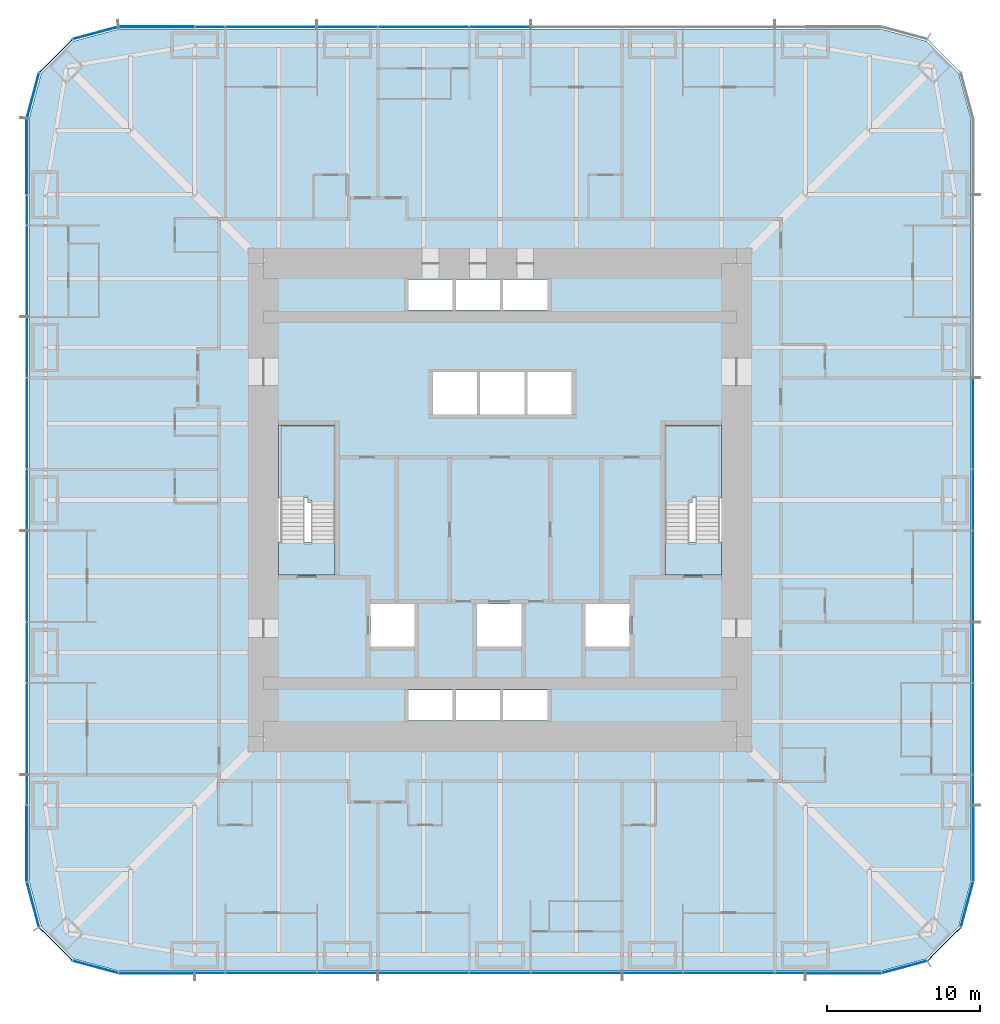
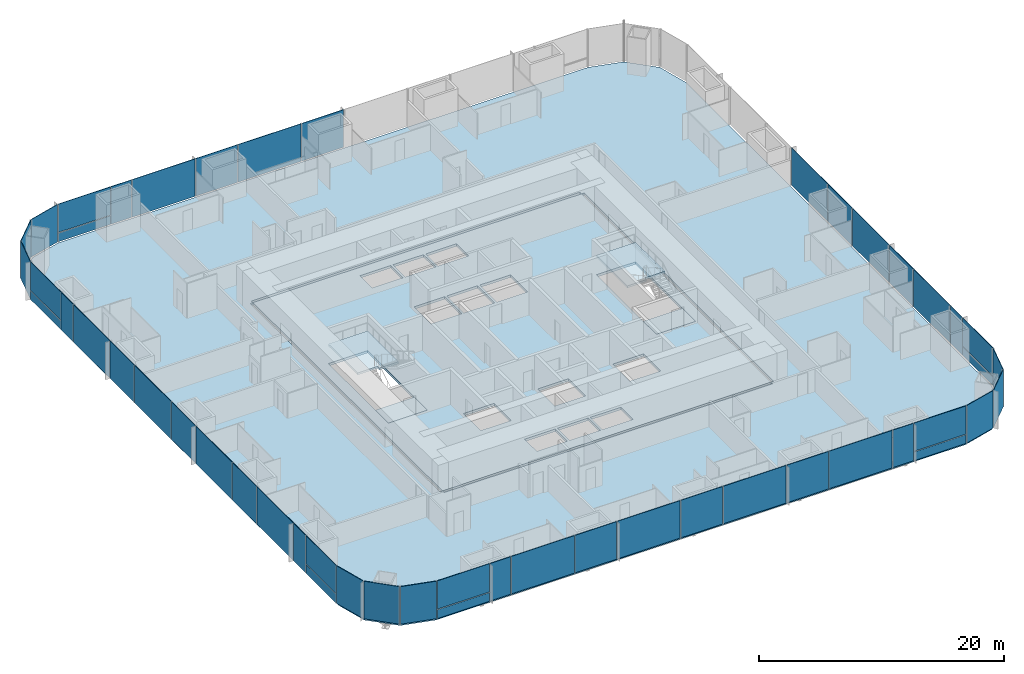
# One storey, part 10 of 17: 50 plates, 6 slabs, 9 elements without a shape of their own.
"""IFC4 building model written with IfcOpenShell, lengths in metres."""

from ifc_helpers import new_model, si_unit, direction, frame, origin, origin_2d, place, context, subcontext, project, spatial, polyline, rectangle, outline, extrude, material, layer, layer_set, type_object, element, aggregate, save


model = new_model("IFC4")

# Units and contexts
model_context = context("Model", 3, precision=1e-05, world=origin(), true_north=direction((0.0, 1.0)))
body_context = subcontext(model_context, "Body", "Model", "MODEL_VIEW")
ifc_project = project(units=[si_unit("LENGTHUNIT", "METRE"), si_unit("AREAUNIT", "SQUARE_METRE"), si_unit("VOLUMEUNIT", "CUBIC_METRE"), si_unit("PLANEANGLEUNIT", "RADIAN"), si_unit("MASSUNIT", "GRAM", prefix="KILO")], contexts=[model_context])

# Site, building, storey
site_placement = place(None, origin())
site = spatial("IfcSite", under=ifc_project, at=site_placement, CompositionType="ELEMENT")
building_placement = place(site_placement, origin())
building = spatial("IfcBuilding", under=site, at=building_placement, Name="Khuree Lantern Residences", CompositionType="ELEMENT")
storey_placement = place(building_placement, frame((0.0, 0.0, 92.25)))
storey = spatial("IfcBuildingStorey", under=building, at=storey_placement, Name="L23", CompositionType="ELEMENT", Elevation=92.25)

# Slab
ifc_material_1 = material(Name="Concrete C35/45", Category="concrete")
ifc_layer_1 = layer(ifc_material_1, 0.25)
ifc_layer_set_1 = layer_set([ifc_layer_1], Name="CFL250 CORE FLOOR SLAB 250")
slab_type_1 = type_object("IfcSlabType", Name="CFL250 CORE FLOOR SLAB 250", PredefinedType="FLOOR", material=ifc_layer_set_1)
slab_1_placement = place(storey_placement, frame((0.0, 0.0, -0.25)))
element("IfcSlab", 1, at=slab_1_placement, inside=storey, type_object=slab_type_1, Name="Core floor L23", PredefinedType="FLOOR", context=body_context, shape_type="SweptSolid", body=[
    extrude(outline(polyline([(-15.5, -15.5), (-15.5, 15.5), (15.5, 15.5), (15.5, -15.5), (-15.5, -15.5)]), holes=[polyline([(14.5, 4.89990234375), (10.800048828125, 4.89990234375), (10.800048828125, -4.89990234375), (14.5, -4.89990234375), (14.5, 4.89990234375)]), polyline([(8.5, -6.800048828125), (5.60009765625, -6.800048828125), (5.60009765625, -9.60009765625), (8.5, -9.60009765625), (8.5, -6.800048828125)]), polyline([(4.699951171875, 8.39990234375), (1.800048828125, 8.39990234375), (1.800048828125, 5.60009765625), (4.699951171875, 5.60009765625), (4.699951171875, 8.39990234375)]), polyline([(0.199951171875, -12.449951171875), (0.199951171875, -14.449951171875), (3.10009765625, -14.449951171875), (3.10009765625, -12.449951171875), (0.199951171875, -12.449951171875)]), polyline([(3.10009765625, 14.449951171875), (0.199951171875, 14.449951171875), (0.199951171875, 12.449951171875), (3.10009765625, 12.449951171875), (3.10009765625, 14.449951171875)]), polyline([(1.60009765625, 8.39990234375), (-1.300048828125, 8.39990234375), (-1.300048828125, 5.60009765625), (1.60009765625, 5.60009765625), (1.60009765625, 8.39990234375)]), polyline([(1.39990234375, -6.800048828125), (-1.5, -6.800048828125), (-1.5, -9.60009765625), (1.39990234375, -9.60009765625), (1.39990234375, -6.800048828125)]), polyline([(0.0, -12.449951171875), (-2.89990234375, -12.449951171875), (-2.89990234375, -14.449951171875), (0.0, -14.449951171875), (0.0, -12.449951171875)]), polyline([(0.0, 14.449951171875), (-2.89990234375, 14.449951171875), (-2.89990234375, 12.449951171875), (0.0, 12.449951171875), (0.0, 14.449951171875)]), polyline([(-1.5, 8.39990234375), (-4.39990234375, 8.39990234375), (-4.39990234375, 5.60009765625), (-1.5, 5.60009765625), (-1.5, 8.39990234375)]), polyline([(-6.0, -12.449951171875), (-6.0, -14.449951171875), (-3.10009765625, -14.449951171875), (-3.10009765625, -12.449951171875), (-6.0, -12.449951171875)]), polyline([(-3.10009765625, 14.449951171875), (-6.0, 14.449951171875), (-6.0, 12.449951171875), (-3.10009765625, 12.449951171875), (-3.10009765625, 14.449951171875)]), polyline([(-5.60009765625, -6.800048828125), (-8.5, -6.800048828125), (-8.5, -9.60009765625), (-5.60009765625, -9.60009765625), (-5.60009765625, -6.800048828125)]), polyline([(-10.800048828125, 4.89990234375), (-14.5, 4.89990234375), (-14.5, -4.89990234375), (-10.800048828125, -4.89990234375), (-10.800048828125, 4.89990234375)])]), origin(), (0.0, 0.0, 1.0), 0.25),
])

# Curtain wall, plates
ifc_material_2 = material(Name="Bronze anodised aluminium", Category="aluminium")
curtain_wall_type_1 = type_object("IfcCurtainWallType", Name="CW-T2 TOWER CORNER CURTAIN WALL", PredefinedType="USERDEFINED", material=ifc_material_2)
curtain_wall_1_placement = place(storey_placement, origin())
curtain_wall_1 = element("IfcCurtainWall", 2, at=curtain_wall_1_placement, inside=storey, type_object=curtain_wall_type_1, Name="L23 SOUTH-EAST CORNER CURTAIN WALL", ObjectType="Faceted corner curtain wall", PredefinedType="USERDEFINED")
ifc_material_3 = material(Name="Bronze tinted triple glazing", Category="glass")
ifc_layer_2 = layer(ifc_material_3, 0.048095703125)
ifc_layer_set_2 = layer_set([ifc_layer_2], Name="FACET PANEL P4")
plate_type_1 = type_object("IfcPlateType", Name="FACET PANEL P4", PredefinedType="CURTAIN_PANEL", material=ifc_layer_set_2)
plate_1_placement = place(storey_placement, frame((26.498046875, -30.5986328125, 0.0), z_axis=(0.0, 0.0, 1.0), x_axis=(0.965925792265, 0.258819172081, 0.0)))
plate_1 = element("IfcPlate", 3, at=plate_1_placement, type_object=plate_type_1, Name="L23 SOUTH-EAST CORNER PANEL 1.1", PredefinedType="CURTAIN_PANEL", context=body_context, shape_type="SweptSolid", body=[
    extrude(rectangle(XDim=3.02978515625, YDim=0.048095703125, at=origin_2d()), origin(), (0.0, 0.0, 1.0), 3.75),
])
plate_2_placement = place(storey_placement, frame((29.09814453125, -29.09814453125, 0.0), z_axis=(0.0, 0.0, 1.0), x_axis=(0.707106781187, 0.707106781187, 0.0)))
plate_2 = element("IfcPlate", 4, at=plate_2_placement, type_object=plate_type_1, Name="L23 SOUTH-EAST CORNER PANEL 2.1", PredefinedType="CURTAIN_PANEL", context=body_context, shape_type="SweptSolid", body=[
    extrude(rectangle(XDim=3.025634765625, YDim=0.048095703125, at=origin_2d()), origin(), (0.0, 0.0, 1.0), 3.75),
])
plate_3_placement = place(storey_placement, frame((30.5986328125, -26.498046875, 0.0), z_axis=(0.0, 0.0, 1.0), x_axis=(0.258819172081, 0.965925792265, 0.0)))
plate_3 = element("IfcPlate", 5, at=plate_3_placement, type_object=plate_type_1, Name="L23 SOUTH-EAST CORNER PANEL 3.1", PredefinedType="CURTAIN_PANEL", context=body_context, shape_type="SweptSolid", body=[
    extrude(rectangle(XDim=3.02978515625, YDim=0.048095703125, at=origin_2d()), origin(), (0.0, 0.0, 1.0), 3.75),
])
aggregate(curtain_wall_1, [plate_1, plate_2, plate_3])

curtain_wall_2_placement = place(storey_placement, origin())
curtain_wall_2 = element("IfcCurtainWall", 6, at=curtain_wall_2_placement, inside=storey, type_object=curtain_wall_type_1, Name="L23 NORTH-WEST CORNER CURTAIN WALL", ObjectType="Faceted corner curtain wall", PredefinedType="USERDEFINED")
plate_4_placement = place(storey_placement, frame((-26.498046875, 30.5986328125, 0.0), z_axis=(0.0, 0.0, 1.0), x_axis=(-0.965925792265, -0.258819172081, 0.0)))
plate_4 = element("IfcPlate", 7, at=plate_4_placement, type_object=plate_type_1, Name="L23 NORTH-WEST CORNER PANEL 29.1", PredefinedType="CURTAIN_PANEL", context=body_context, shape_type="SweptSolid", body=[
    extrude(rectangle(XDim=3.02978515625, YDim=0.048095703125, at=origin_2d()), origin(), (0.0, 0.0, 1.0), 3.75),
])
plate_5_placement = place(storey_placement, frame((-29.09814453125, 29.09814453125, 0.0), z_axis=(0.0, 0.0, 1.0), x_axis=(-0.707106781187, -0.707106781187, 0.0)))
plate_5 = element("IfcPlate", 8, at=plate_5_placement, type_object=plate_type_1, Name="L23 NORTH-WEST CORNER PANEL 30.1", PredefinedType="CURTAIN_PANEL", context=body_context, shape_type="SweptSolid", body=[
    extrude(rectangle(XDim=3.025634765625, YDim=0.048095703125, at=origin_2d()), origin(), (0.0, 0.0, 1.0), 3.75),
])
plate_6_placement = place(storey_placement, frame((-30.5986328125, 26.498046875, 0.0), z_axis=(0.0, 0.0, 1.0), x_axis=(-0.258819172081, -0.965925792265, 0.0)))
plate_6 = element("IfcPlate", 9, at=plate_6_placement, type_object=plate_type_1, Name="L23 NORTH-WEST CORNER PANEL 31.1", PredefinedType="CURTAIN_PANEL", context=body_context, shape_type="SweptSolid", body=[
    extrude(rectangle(XDim=3.02978515625, YDim=0.048095703125, at=origin_2d()), origin(), (0.0, 0.0, 1.0), 3.75),
])
aggregate(curtain_wall_2, [plate_4, plate_5, plate_6])

curtain_wall_3_placement = place(storey_placement, origin())
curtain_wall_3 = element("IfcCurtainWall", 10, at=curtain_wall_3_placement, inside=storey, type_object=curtain_wall_type_1, Name="L23 SOUTH-WEST CORNER CURTAIN WALL", ObjectType="Faceted corner curtain wall", PredefinedType="USERDEFINED")
plate_7_placement = place(storey_placement, frame((-30.5986328125, -26.498046875, 0.0), z_axis=(0.0, 0.0, 1.0), x_axis=(0.258819172081, -0.965925792265, 0.0)))
plate_7 = element("IfcPlate", 11, at=plate_7_placement, type_object=plate_type_1, Name="L23 SOUTH-WEST CORNER PANEL 43.1", PredefinedType="CURTAIN_PANEL", context=body_context, shape_type="SweptSolid", body=[
    extrude(rectangle(XDim=3.02978515625, YDim=0.048095703125, at=origin_2d()), origin(), (0.0, 0.0, 1.0), 3.75),
])
plate_8_placement = place(storey_placement, frame((-29.09814453125, -29.09814453125, 0.0), z_axis=(0.0, 0.0, 1.0), x_axis=(0.707106781187, -0.707106781187, 0.0)))
plate_8 = element("IfcPlate", 12, at=plate_8_placement, type_object=plate_type_1, Name="L23 SOUTH-WEST CORNER PANEL 44.1", PredefinedType="CURTAIN_PANEL", context=body_context, shape_type="SweptSolid", body=[
    extrude(rectangle(XDim=3.025634765625, YDim=0.048095703125, at=origin_2d()), origin(), (0.0, 0.0, 1.0), 3.75),
])
plate_9_placement = place(storey_placement, frame((-26.498046875, -30.5986328125, 0.0), z_axis=(0.0, 0.0, 1.0), x_axis=(0.965925792265, -0.258819172081, 0.0)))
plate_9 = element("IfcPlate", 13, at=plate_9_placement, type_object=plate_type_1, Name="L23 SOUTH-WEST CORNER PANEL 45.1", PredefinedType="CURTAIN_PANEL", context=body_context, shape_type="SweptSolid", body=[
    extrude(rectangle(XDim=3.02978515625, YDim=0.048095703125, at=origin_2d()), origin(), (0.0, 0.0, 1.0), 3.75),
])
aggregate(curtain_wall_3, [plate_7, plate_8, plate_9])

curtain_wall_type_2 = type_object("IfcCurtainWallType", Name="CW-T1 TOWER FACE CURTAIN WALL", PredefinedType="USERDEFINED", material=ifc_material_2)
curtain_wall_4_placement = place(storey_placement, origin())
curtain_wall_4 = element("IfcCurtainWall", 14, at=curtain_wall_4_placement, inside=storey, type_object=curtain_wall_type_2, Name="L23 EAST FACE CURTAIN WALL", ObjectType="Stick-built curtain wall", PredefinedType="USERDEFINED")
ifc_material_4 = material(Name="Bronze tinted triple glazing with a ceramic-fritted spandrel band", Category="glass")
ifc_layer_3 = layer(ifc_material_4, 0.048095703125)
ifc_layer_set_3 = layer_set([ifc_layer_3], Name="FIXED LIGHT PANEL P11")
plate_type_2 = type_object("IfcPlateType", Name="FIXED LIGHT PANEL P11", PredefinedType="CURTAIN_PANEL", material=ifc_layer_set_3)
plate_10_placement = place(storey_placement, frame((31.0, -15.0, 0.0), z_axis=(0.0, 0.0, 1.0), x_axis=(0.0, 1.0, 0.0)))
plate_10 = element("IfcPlate", 15, at=plate_10_placement, type_object=plate_type_2, Name="L23 EAST FACE PANEL 6.1", PredefinedType="CURTAIN_PANEL", context=body_context, shape_type="SweptSolid", body=[
    extrude(rectangle(XDim=5.93505859375, YDim=0.048095703125, at=origin_2d()), origin(), (0.0, 0.0, 1.0), 3.75),
])
plate_11_placement = place(storey_placement, frame((31.0, -5.0, 0.0), z_axis=(0.0, 0.0, 1.0), x_axis=(0.0, 1.0, 0.0)))
plate_11 = element("IfcPlate", 16, at=plate_11_placement, type_object=plate_type_2, Name="L23 EAST FACE PANEL 8.1", PredefinedType="CURTAIN_PANEL", context=body_context, shape_type="SweptSolid", body=[
    extrude(rectangle(XDim=5.93505859375, YDim=0.048095703125, at=origin_2d()), origin(), (0.0, 0.0, 1.0), 3.75),
])
plate_12_placement = place(storey_placement, frame((31.0, 5.0, 0.0), z_axis=(0.0, 0.0, 1.0), x_axis=(0.0, 1.0, 0.0)))
plate_12 = element("IfcPlate", 17, at=plate_12_placement, type_object=plate_type_2, Name="L23 EAST FACE PANEL 10.1", PredefinedType="CURTAIN_PANEL", context=body_context, shape_type="SweptSolid", body=[
    extrude(rectangle(XDim=5.93505859375, YDim=0.048095703125, at=origin_2d()), origin(), (0.0, 0.0, 1.0), 3.75),
])

curtain_wall_5_placement = place(storey_placement, origin())
curtain_wall_5 = element("IfcCurtainWall", 18, at=curtain_wall_5_placement, inside=storey, type_object=curtain_wall_type_2, Name="L23 NORTH FACE CURTAIN WALL", ObjectType="Stick-built curtain wall", PredefinedType="USERDEFINED")
plate_13_placement = place(storey_placement, frame((-5.0, 31.0, 0.0), z_axis=(0.0, 0.0, 1.0), x_axis=(-1.0, 0.0, 0.0)))
plate_13 = element("IfcPlate", 19, at=plate_13_placement, type_object=plate_type_2, Name="L23 NORTH FACE PANEL 24.1", PredefinedType="CURTAIN_PANEL", context=body_context, shape_type="SweptSolid", body=[
    extrude(rectangle(XDim=5.93505859375, YDim=0.048095703125, at=origin_2d()), origin(), (0.0, 0.0, 1.0), 3.75),
])
plate_14_placement = place(storey_placement, frame((-15.0, 31.0, 0.0), z_axis=(0.0, 0.0, 1.0), x_axis=(-1.0, 0.0, 0.0)))
plate_14 = element("IfcPlate", 20, at=plate_14_placement, type_object=plate_type_2, Name="L23 NORTH FACE PANEL 26.1", PredefinedType="CURTAIN_PANEL", context=body_context, shape_type="SweptSolid", body=[
    extrude(rectangle(XDim=5.93505859375, YDim=0.048095703125, at=origin_2d()), origin(), (0.0, 0.0, 1.0), 3.75),
])

curtain_wall_6_placement = place(storey_placement, origin())
curtain_wall_6 = element("IfcCurtainWall", 21, at=curtain_wall_6_placement, inside=storey, type_object=curtain_wall_type_2, Name="L23 WEST FACE CURTAIN WALL", ObjectType="Stick-built curtain wall", PredefinedType="USERDEFINED")
plate_15_placement = place(storey_placement, frame((-31.0, 15.0, 0.0), z_axis=(0.0, 0.0, 1.0), x_axis=(0.0, -1.0, 0.0)))
plate_15 = element("IfcPlate", 22, at=plate_15_placement, type_object=plate_type_2, Name="L23 WEST FACE PANEL 34.1", PredefinedType="CURTAIN_PANEL", context=body_context, shape_type="SweptSolid", body=[
    extrude(rectangle(XDim=5.93505859375, YDim=0.048095703125, at=origin_2d()), origin(), (0.0, 0.0, 1.0), 3.75),
])
plate_16_placement = place(storey_placement, frame((-31.0, 5.0, 0.0), z_axis=(0.0, 0.0, 1.0), x_axis=(0.0, -1.0, 0.0)))
plate_16 = element("IfcPlate", 23, at=plate_16_placement, type_object=plate_type_2, Name="L23 WEST FACE PANEL 36.1", PredefinedType="CURTAIN_PANEL", context=body_context, shape_type="SweptSolid", body=[
    extrude(rectangle(XDim=5.93505859375, YDim=0.048095703125, at=origin_2d()), origin(), (0.0, 0.0, 1.0), 3.75),
])
plate_17_placement = place(storey_placement, frame((-31.0, -5.0, 0.0), z_axis=(0.0, 0.0, 1.0), x_axis=(0.0, -1.0, 0.0)))
plate_17 = element("IfcPlate", 24, at=plate_17_placement, type_object=plate_type_2, Name="L23 WEST FACE PANEL 38.1", PredefinedType="CURTAIN_PANEL", context=body_context, shape_type="SweptSolid", body=[
    extrude(rectangle(XDim=5.93505859375, YDim=0.048095703125, at=origin_2d()), origin(), (0.0, 0.0, 1.0), 3.75),
])
plate_18_placement = place(storey_placement, frame((-31.0, -15.0, 0.0), z_axis=(0.0, 0.0, 1.0), x_axis=(0.0, -1.0, 0.0)))
plate_18 = element("IfcPlate", 25, at=plate_18_placement, type_object=plate_type_2, Name="L23 WEST FACE PANEL 40.1", PredefinedType="CURTAIN_PANEL", context=body_context, shape_type="SweptSolid", body=[
    extrude(rectangle(XDim=5.93505859375, YDim=0.048095703125, at=origin_2d()), origin(), (0.0, 0.0, 1.0), 3.75),
])

curtain_wall_7_placement = place(storey_placement, origin())
curtain_wall_7 = element("IfcCurtainWall", 26, at=curtain_wall_7_placement, inside=storey, type_object=curtain_wall_type_2, Name="L23 SOUTH FACE CURTAIN WALL", ObjectType="Stick-built curtain wall", PredefinedType="USERDEFINED")
plate_19_placement = place(storey_placement, frame((-15.0, -31.0, 0.0), z_axis=(0.0, 0.0, 1.0), x_axis=(1.0, 0.0, 0.0)))
plate_19 = element("IfcPlate", 27, at=plate_19_placement, type_object=plate_type_2, Name="L23 SOUTH FACE PANEL 48.1", PredefinedType="CURTAIN_PANEL", context=body_context, shape_type="SweptSolid", body=[
    extrude(rectangle(XDim=5.93505859375, YDim=0.048095703125, at=origin_2d()), origin(), (0.0, 0.0, 1.0), 3.75),
])
plate_20_placement = place(storey_placement, frame((-5.0, -31.0, 0.0), z_axis=(0.0, 0.0, 1.0), x_axis=(1.0, 0.0, 0.0)))
plate_20 = element("IfcPlate", 28, at=plate_20_placement, type_object=plate_type_2, Name="L23 SOUTH FACE PANEL 50.1", PredefinedType="CURTAIN_PANEL", context=body_context, shape_type="SweptSolid", body=[
    extrude(rectangle(XDim=5.93505859375, YDim=0.048095703125, at=origin_2d()), origin(), (0.0, 0.0, 1.0), 3.75),
])
plate_21_placement = place(storey_placement, frame((5.0, -31.0, 0.0), z_axis=(0.0, 0.0, 1.0), x_axis=(1.0, 0.0, 0.0)))
plate_21 = element("IfcPlate", 29, at=plate_21_placement, type_object=plate_type_2, Name="L23 SOUTH FACE PANEL 52.1", PredefinedType="CURTAIN_PANEL", context=body_context, shape_type="SweptSolid", body=[
    extrude(rectangle(XDim=5.93505859375, YDim=0.048095703125, at=origin_2d()), origin(), (0.0, 0.0, 1.0), 3.75),
])
plate_22_placement = place(storey_placement, frame((15.0, -31.0, 0.0), z_axis=(0.0, 0.0, 1.0), x_axis=(1.0, 0.0, 0.0)))
plate_22 = element("IfcPlate", 30, at=plate_22_placement, type_object=plate_type_2, Name="L23 SOUTH FACE PANEL 54.1", PredefinedType="CURTAIN_PANEL", context=body_context, shape_type="SweptSolid", body=[
    extrude(rectangle(XDim=5.93505859375, YDim=0.048095703125, at=origin_2d()), origin(), (0.0, 0.0, 1.0), 3.75),
])

# Slab
ifc_layer_4 = layer(ifc_material_1, 0.25)
ifc_layer_set_4 = layer_set([ifc_layer_4], Name="FS250 FLOOR SLAB 250")
slab_type_2 = type_object("IfcSlabType", Name="FS250 FLOOR SLAB 250", PredefinedType="FLOOR", material=ifc_layer_set_4)
slab_2_placement = place(storey_placement, frame((0.0, 0.0, -0.25)))
element("IfcSlab", 31, at=slab_2_placement, inside=storey, type_object=slab_type_2, Name="Floor slab L23", PredefinedType="FLOOR", context=body_context, shape_type="SweptSolid", body=[
    extrude(outline(polyline([(-27.925048828125, -30.066162109375), (-30.066162109375, -27.925048828125), (-30.85009765625, -25.0), (-30.85009765625, 25.0), (-30.066162109375, 27.925048828125), (-27.925048828125, 30.066162109375), (-25.0, 30.85009765625), (25.0, 30.85009765625), (27.925048828125, 30.066162109375), (30.066162109375, 27.925048828125), (30.85009765625, 25.0), (30.85009765625, -25.0), (30.066162109375, -27.925048828125), (27.925048828125, -30.066162109375), (25.0, -30.85009765625), (-25.0, -30.85009765625), (-27.925048828125, -30.066162109375)]), holes=[polyline([(15.75, 15.5), (15.5, 15.5), (15.5, 15.75), (-15.5, 15.75), (-15.5, 15.5), (-15.75, 15.5), (-15.75, -15.5), (-15.5, -15.5), (-15.5, -15.75), (15.5, -15.75), (15.5, -15.5), (15.75, -15.5), (15.75, 15.5)])]), origin(), (0.0, 0.0, 1.0), 0.25),
])

# Plate
ifc_material_5 = material(Name="Bronze tinted triple glazing, two aluminium-framed sashes in one frame", Category="aluminium")
ifc_layer_5 = layer(ifc_material_5, 0.048095703125)
ifc_layer_set_5 = layer_set([ifc_layer_5], Name="SASH PAIR PANEL P12")
plate_type_3 = type_object("IfcPlateType", Name="SASH PAIR PANEL P12", PredefinedType="CURTAIN_PANEL", material=ifc_layer_set_5)
plate_23_placement = place(storey_placement, frame((31.0, -10.0, 0.0), z_axis=(0.0, 0.0, 1.0), x_axis=(0.0, 1.0, 0.0)))
plate_23 = element("IfcPlate", 32, at=plate_23_placement, type_object=plate_type_3, Name="L23 EAST FACE PANEL 7.1", PredefinedType="CURTAIN_PANEL", context=body_context, shape_type="SweptSolid", body=[
    extrude(rectangle(XDim=3.93505859375, YDim=0.048095703125, at=origin_2d()), origin(), (0.0, 0.0, 1.0), 3.75),
])

plate_24_placement = place(storey_placement, frame((31.0, 0.0, 0.0), z_axis=(0.0, 0.0, 1.0), x_axis=(0.0, 1.0, 0.0)))
plate_24 = element("IfcPlate", 33, at=plate_24_placement, type_object=plate_type_3, Name="L23 EAST FACE PANEL 9.1", PredefinedType="CURTAIN_PANEL", context=body_context, shape_type="SweptSolid", body=[
    extrude(rectangle(XDim=3.93505859375, YDim=0.048095703125, at=origin_2d()), origin(), (0.0, 0.0, 1.0), 3.75),
])

plate_25_placement = place(storey_placement, frame((0.0, 31.0, 0.0), z_axis=(0.0, 0.0, 1.0), x_axis=(-1.0, 0.0, 0.0)))
plate_25 = element("IfcPlate", 34, at=plate_25_placement, type_object=plate_type_3, Name="L23 NORTH FACE PANEL 23.1", PredefinedType="CURTAIN_PANEL", context=body_context, shape_type="SweptSolid", body=[
    extrude(rectangle(XDim=3.93505859375, YDim=0.048095703125, at=origin_2d()), origin(), (0.0, 0.0, 1.0), 3.75),
])

plate_26_placement = place(storey_placement, frame((-10.0, 31.0, 0.0), z_axis=(0.0, 0.0, 1.0), x_axis=(-1.0, 0.0, 0.0)))
plate_26 = element("IfcPlate", 35, at=plate_26_placement, type_object=plate_type_3, Name="L23 NORTH FACE PANEL 25.1", PredefinedType="CURTAIN_PANEL", context=body_context, shape_type="SweptSolid", body=[
    extrude(rectangle(XDim=3.93505859375, YDim=0.048095703125, at=origin_2d()), origin(), (0.0, 0.0, 1.0), 3.75),
])

plate_27_placement = place(storey_placement, frame((-31.0, 10.0, 0.0), z_axis=(0.0, 0.0, 1.0), x_axis=(0.0, -1.0, 0.0)))
plate_27 = element("IfcPlate", 36, at=plate_27_placement, type_object=plate_type_3, Name="L23 WEST FACE PANEL 35.1", PredefinedType="CURTAIN_PANEL", context=body_context, shape_type="SweptSolid", body=[
    extrude(rectangle(XDim=3.93505859375, YDim=0.048095703125, at=origin_2d()), origin(), (0.0, 0.0, 1.0), 3.75),
])

plate_28_placement = place(storey_placement, frame((-31.0, 0.0, 0.0), z_axis=(0.0, 0.0, 1.0), x_axis=(0.0, -1.0, 0.0)))
plate_28 = element("IfcPlate", 37, at=plate_28_placement, type_object=plate_type_3, Name="L23 WEST FACE PANEL 37.1", PredefinedType="CURTAIN_PANEL", context=body_context, shape_type="SweptSolid", body=[
    extrude(rectangle(XDim=3.93505859375, YDim=0.048095703125, at=origin_2d()), origin(), (0.0, 0.0, 1.0), 3.75),
])

plate_29_placement = place(storey_placement, frame((-31.0, -10.0, 0.0), z_axis=(0.0, 0.0, 1.0), x_axis=(0.0, -1.0, 0.0)))
plate_29 = element("IfcPlate", 38, at=plate_29_placement, type_object=plate_type_3, Name="L23 WEST FACE PANEL 39.1", PredefinedType="CURTAIN_PANEL", context=body_context, shape_type="SweptSolid", body=[
    extrude(rectangle(XDim=3.93505859375, YDim=0.048095703125, at=origin_2d()), origin(), (0.0, 0.0, 1.0), 3.75),
])

plate_30_placement = place(storey_placement, frame((-10.0, -31.0, 0.0), z_axis=(0.0, 0.0, 1.0), x_axis=(1.0, 0.0, 0.0)))
plate_30 = element("IfcPlate", 39, at=plate_30_placement, type_object=plate_type_3, Name="L23 SOUTH FACE PANEL 49.1", PredefinedType="CURTAIN_PANEL", context=body_context, shape_type="SweptSolid", body=[
    extrude(rectangle(XDim=3.93505859375, YDim=0.048095703125, at=origin_2d()), origin(), (0.0, 0.0, 1.0), 3.75),
])

plate_31_placement = place(storey_placement, frame((0.0, -31.0, 0.0), z_axis=(0.0, 0.0, 1.0), x_axis=(1.0, 0.0, 0.0)))
plate_31 = element("IfcPlate", 40, at=plate_31_placement, type_object=plate_type_3, Name="L23 SOUTH FACE PANEL 51.1", PredefinedType="CURTAIN_PANEL", context=body_context, shape_type="SweptSolid", body=[
    extrude(rectangle(XDim=3.93505859375, YDim=0.048095703125, at=origin_2d()), origin(), (0.0, 0.0, 1.0), 3.75),
])

plate_32_placement = place(storey_placement, frame((10.0, -31.0, 0.0), z_axis=(0.0, 0.0, 1.0), x_axis=(1.0, 0.0, 0.0)))
plate_32 = element("IfcPlate", 41, at=plate_32_placement, type_object=plate_type_3, Name="L23 SOUTH FACE PANEL 53.1", PredefinedType="CURTAIN_PANEL", context=body_context, shape_type="SweptSolid", body=[
    extrude(rectangle(XDim=3.93505859375, YDim=0.048095703125, at=origin_2d()), origin(), (0.0, 0.0, 1.0), 3.75),
])

ifc_material_6 = material(Name="Bronze tinted triple glazing, aluminium-framed sash", Category="aluminium")
ifc_layer_6 = layer(ifc_material_6, 0.048095703125)
ifc_layer_set_6 = layer_set([ifc_layer_6], Name="SASH PANEL P3")
plate_type_4 = type_object("IfcPlateType", Name="SASH PANEL P3", PredefinedType="CURTAIN_PANEL", material=ifc_layer_set_6)
plate_33_placement = place(storey_placement, frame((31.0, -19.0, 0.0), z_axis=(0.0, 0.0, 1.0), x_axis=(0.0, 1.0, 0.0)))
plate_33 = element("IfcPlate", 42, at=plate_33_placement, type_object=plate_type_4, Name="L23 EAST FACE PANEL 5.1", PredefinedType="CURTAIN_PANEL", context=body_context, shape_type="SweptSolid", body=[
    extrude(rectangle(XDim=1.93505859375, YDim=0.048095703125, at=origin_2d()), origin(), (0.0, 0.0, 1.0), 3.75),
])

plate_34_placement = place(storey_placement, frame((-19.0, 31.0, 0.0), z_axis=(0.0, 0.0, 1.0), x_axis=(-1.0, 0.0, 0.0)))
plate_34 = element("IfcPlate", 43, at=plate_34_placement, type_object=plate_type_4, Name="L23 NORTH FACE PANEL 27.1", PredefinedType="CURTAIN_PANEL", context=body_context, shape_type="SweptSolid", body=[
    extrude(rectangle(XDim=1.93505859375, YDim=0.048095703125, at=origin_2d()), origin(), (0.0, 0.0, 1.0), 3.75),
])

plate_35_placement = place(storey_placement, frame((-31.0, 19.0, 0.0), z_axis=(0.0, 0.0, 1.0), x_axis=(0.0, -1.0, 0.0)))
plate_35 = element("IfcPlate", 44, at=plate_35_placement, type_object=plate_type_4, Name="L23 WEST FACE PANEL 33.1", PredefinedType="CURTAIN_PANEL", context=body_context, shape_type="SweptSolid", body=[
    extrude(rectangle(XDim=1.93505859375, YDim=0.048095703125, at=origin_2d()), origin(), (0.0, 0.0, 1.0), 3.75),
])

plate_36_placement = place(storey_placement, frame((-31.0, -19.0, 0.0), z_axis=(0.0, 0.0, 1.0), x_axis=(0.0, -1.0, 0.0)))
plate_36 = element("IfcPlate", 45, at=plate_36_placement, type_object=plate_type_4, Name="L23 WEST FACE PANEL 41.1", PredefinedType="CURTAIN_PANEL", context=body_context, shape_type="SweptSolid", body=[
    extrude(rectangle(XDim=1.93505859375, YDim=0.048095703125, at=origin_2d()), origin(), (0.0, 0.0, 1.0), 3.75),
])

plate_37_placement = place(storey_placement, frame((-19.0, -31.0, 0.0), z_axis=(0.0, 0.0, 1.0), x_axis=(1.0, 0.0, 0.0)))
plate_37 = element("IfcPlate", 46, at=plate_37_placement, type_object=plate_type_4, Name="L23 SOUTH FACE PANEL 47.1", PredefinedType="CURTAIN_PANEL", context=body_context, shape_type="SweptSolid", body=[
    extrude(rectangle(XDim=1.93505859375, YDim=0.048095703125, at=origin_2d()), origin(), (0.0, 0.0, 1.0), 3.75),
])

plate_38_placement = place(storey_placement, frame((19.0, -31.0, 0.0), z_axis=(0.0, 0.0, 1.0), x_axis=(1.0, 0.0, 0.0)))
plate_38 = element("IfcPlate", 47, at=plate_38_placement, type_object=plate_type_4, Name="L23 SOUTH FACE PANEL 55.1", PredefinedType="CURTAIN_PANEL", context=body_context, shape_type="SweptSolid", body=[
    extrude(rectangle(XDim=1.93505859375, YDim=0.048095703125, at=origin_2d()), origin(), (0.0, 0.0, 1.0), 3.75),
])

ifc_material_7 = material(Name="Bronze anodised aluminium insulated spandrel", Category="aluminium")
ifc_layer_7 = layer(ifc_material_7, 0.06005859375)
ifc_layer_set_7 = layer_set([ifc_layer_7], Name="SPANDREL PANEL P2")
plate_type_5 = type_object("IfcPlateType", Name="SPANDREL PANEL P2", PredefinedType="CURTAIN_PANEL", material=ifc_layer_set_7)
plate_39_placement = place(storey_placement, frame((31.0, -22.497802734375, 0.0), z_axis=(0.0, 0.0, 1.0), x_axis=(0.0, 1.0, 0.0)))
plate_39 = element("IfcPlate", 48, at=plate_39_placement, type_object=plate_type_5, Name="L23 EAST FACE PANEL 4.1", PredefinedType="CURTAIN_PANEL", context=body_context, shape_type="SweptSolid", body=[
    extrude(rectangle(XDim=4.9306640625, YDim=0.06005859375, at=origin_2d()), origin(), (0.0, 0.0, 1.0), 0.867431640625),
])

plate_40_placement = place(storey_placement, frame((-22.497802734375, 31.0, 0.0), z_axis=(0.0, 0.0, 1.0), x_axis=(-1.0, 0.0, 0.0)))
plate_40 = element("IfcPlate", 49, at=plate_40_placement, type_object=plate_type_5, Name="L23 NORTH FACE PANEL 28.1", PredefinedType="CURTAIN_PANEL", context=body_context, shape_type="SweptSolid", body=[
    extrude(rectangle(XDim=4.9306640625, YDim=0.06005859375, at=origin_2d()), origin(), (0.0, 0.0, 1.0), 0.867431640625),
])

plate_41_placement = place(storey_placement, frame((-31.0, 22.497802734375, 0.0), z_axis=(0.0, 0.0, 1.0), x_axis=(0.0, -1.0, 0.0)))
plate_41 = element("IfcPlate", 50, at=plate_41_placement, type_object=plate_type_5, Name="L23 WEST FACE PANEL 32.1", PredefinedType="CURTAIN_PANEL", context=body_context, shape_type="SweptSolid", body=[
    extrude(rectangle(XDim=4.9306640625, YDim=0.06005859375, at=origin_2d()), origin(), (0.0, 0.0, 1.0), 0.867431640625),
])

plate_42_placement = place(storey_placement, frame((-31.0, -22.497802734375, 0.0), z_axis=(0.0, 0.0, 1.0), x_axis=(0.0, -1.0, 0.0)))
plate_42 = element("IfcPlate", 51, at=plate_42_placement, type_object=plate_type_5, Name="L23 WEST FACE PANEL 42.1", PredefinedType="CURTAIN_PANEL", context=body_context, shape_type="SweptSolid", body=[
    extrude(rectangle(XDim=4.9306640625, YDim=0.06005859375, at=origin_2d()), origin(), (0.0, 0.0, 1.0), 0.867431640625),
])

plate_43_placement = place(storey_placement, frame((-22.497802734375, -31.0, 0.0), z_axis=(0.0, 0.0, 1.0), x_axis=(1.0, 0.0, 0.0)))
plate_43 = element("IfcPlate", 52, at=plate_43_placement, type_object=plate_type_5, Name="L23 SOUTH FACE PANEL 46.1", PredefinedType="CURTAIN_PANEL", context=body_context, shape_type="SweptSolid", body=[
    extrude(rectangle(XDim=4.9306640625, YDim=0.06005859375, at=origin_2d()), origin(), (0.0, 0.0, 1.0), 0.867431640625),
])

plate_44_placement = place(storey_placement, frame((22.497802734375, -31.0, 0.0), z_axis=(0.0, 0.0, 1.0), x_axis=(1.0, 0.0, 0.0)))
plate_44 = element("IfcPlate", 53, at=plate_44_placement, type_object=plate_type_5, Name="L23 SOUTH FACE PANEL 56.1", PredefinedType="CURTAIN_PANEL", context=body_context, shape_type="SweptSolid", body=[
    extrude(rectangle(XDim=4.9306640625, YDim=0.06005859375, at=origin_2d()), origin(), (0.0, 0.0, 1.0), 0.867431640625),
])

# Stair, slabs
ifc_material_8 = material(Name="Concrete C40/50", Category="concrete")
stair_type = type_object("IfcStairType", Name="STAIR ST1 HALF TURN 3600", PredefinedType="HALF_TURN_STAIR", material=ifc_material_8)
stair_1_placement = place(storey_placement, origin())
stair_1 = element("IfcStair", 54, at=stair_1_placement, inside=storey, type_object=stair_type, Name="Stair ST1", PredefinedType="HALF_TURN_STAIR")
ifc_layer_8 = layer(ifc_material_8, 0.199951171875)
ifc_layer_set_8 = layer_set([ifc_layer_8], Name="STAIR LANDING SL1 200")
slab_type_3 = type_object("IfcSlabType", Name="STAIR LANDING SL1 200", PredefinedType="LANDING", material=ifc_layer_set_8)
slab_3_placement = place(storey_placement, frame((0.0, 0.0, -0.199951171875)))
slab_3 = element("IfcSlab", 55, at=slab_3_placement, type_object=slab_type_3, Name="ST1 landing 1", PredefinedType="LANDING", context=body_context, shape_type="SweptSolid", body=[
    extrude(outline(polyline([(-14.5, -4.89990234375), (-10.800048828125, -4.89990234375), (-10.800048828125, -2.760009765625), (-14.5, -2.760009765625), (-14.5, -4.89990234375)])), origin(), (0.0, 0.0, 1.0), 0.199951171875),
])
slab_4_placement = place(storey_placement, frame((0.0, 0.0, 1.756591796875)))
slab_4 = element("IfcSlab", 56, at=slab_4_placement, type_object=slab_type_3, Name="ST1 landing 2", PredefinedType="LANDING", context=body_context, shape_type="SweptSolid", body=[
    extrude(outline(polyline([(-14.5, 0.1201171875), (-14.5, 4.89990234375), (-10.800048828125, 4.89990234375), (-10.800048828125, -0.159912109375), (-12.60009765625, -0.159912109375), (-12.60009765625, 0.1201171875), (-14.5, 0.1201171875)])), origin(), (0.0, 0.0, 1.0), 0.199951171875),
])
aggregate(stair_1, [slab_3, slab_4])

stair_2_placement = place(storey_placement, origin())
stair_2 = element("IfcStair", 57, at=stair_2_placement, inside=storey, type_object=stair_type, Name="Stair ST2", PredefinedType="HALF_TURN_STAIR")
slab_5_placement = place(storey_placement, frame((0.0, 0.0, -0.199951171875)))
slab_5 = element("IfcSlab", 58, at=slab_5_placement, type_object=slab_type_3, Name="ST2 landing 1", PredefinedType="LANDING", context=body_context, shape_type="SweptSolid", body=[
    extrude(outline(polyline([(10.800048828125, -4.89990234375), (14.5, -4.89990234375), (14.5, -2.760009765625), (10.800048828125, -2.760009765625), (10.800048828125, -4.89990234375)])), origin(), (0.0, 0.0, 1.0), 0.199951171875),
])
slab_6_placement = place(storey_placement, frame((0.0, 0.0, 1.756591796875)))
slab_6 = element("IfcSlab", 59, at=slab_6_placement, type_object=slab_type_3, Name="ST2 landing 2", PredefinedType="LANDING", context=body_context, shape_type="SweptSolid", body=[
    extrude(outline(polyline([(14.5, 4.89990234375), (14.5, 0.1201171875), (12.60009765625, 0.1201171875), (12.60009765625, -0.159912109375), (10.800048828125, -0.159912109375), (10.800048828125, 4.89990234375), (14.5, 4.89990234375)])), origin(), (0.0, 0.0, 1.0), 0.199951171875),
])
aggregate(stair_2, [slab_5, slab_6])

# Plate
ifc_layer_9 = layer(ifc_material_3, 0.048095703125)
ifc_layer_set_9 = layer_set([ifc_layer_9], Name="VISION PANEL P1")
plate_type_6 = type_object("IfcPlateType", Name="VISION PANEL P1", PredefinedType="CURTAIN_PANEL", material=ifc_layer_set_9)
plate_45_placement = place(storey_placement, frame((31.0, -22.498291015625, 0.9326171875), z_axis=(0.0, 0.0, 1.0), x_axis=(0.0, 1.0, 0.0)))
plate_45 = element("IfcPlate", 60, at=plate_45_placement, type_object=plate_type_6, Name="L23 EAST FACE PANEL 4.2", PredefinedType="CURTAIN_PANEL", context=body_context, shape_type="SweptSolid", body=[
    extrude(rectangle(XDim=4.931640625, YDim=0.048095703125, at=origin_2d()), origin(), (0.0, 0.0, 1.0), 2.8173828125),
])

aggregate(curtain_wall_4, [plate_39, plate_45, plate_33, plate_10, plate_23, plate_11, plate_24, plate_12])

plate_46_placement = place(storey_placement, frame((-22.498291015625, 31.0, 0.9326171875), z_axis=(0.0, 0.0, 1.0), x_axis=(-1.0, 0.0, 0.0)))
plate_46 = element("IfcPlate", 61, at=plate_46_placement, type_object=plate_type_6, Name="L23 NORTH FACE PANEL 28.2", PredefinedType="CURTAIN_PANEL", context=body_context, shape_type="SweptSolid", body=[
    extrude(rectangle(XDim=4.931640625, YDim=0.048095703125, at=origin_2d()), origin(), (0.0, 0.0, 1.0), 2.8173828125),
])

aggregate(curtain_wall_5, [plate_25, plate_13, plate_26, plate_14, plate_34, plate_40, plate_46])

plate_47_placement = place(storey_placement, frame((-31.0, 22.498291015625, 0.9326171875), z_axis=(0.0, 0.0, 1.0), x_axis=(0.0, -1.0, 0.0)))
plate_47 = element("IfcPlate", 62, at=plate_47_placement, type_object=plate_type_6, Name="L23 WEST FACE PANEL 32.2", PredefinedType="CURTAIN_PANEL", context=body_context, shape_type="SweptSolid", body=[
    extrude(rectangle(XDim=4.931640625, YDim=0.048095703125, at=origin_2d()), origin(), (0.0, 0.0, 1.0), 2.8173828125),
])

plate_48_placement = place(storey_placement, frame((-31.0, -22.498291015625, 0.9326171875), z_axis=(0.0, 0.0, 1.0), x_axis=(0.0, -1.0, 0.0)))
plate_48 = element("IfcPlate", 63, at=plate_48_placement, type_object=plate_type_6, Name="L23 WEST FACE PANEL 42.2", PredefinedType="CURTAIN_PANEL", context=body_context, shape_type="SweptSolid", body=[
    extrude(rectangle(XDim=4.931640625, YDim=0.048095703125, at=origin_2d()), origin(), (0.0, 0.0, 1.0), 2.8173828125),
])

aggregate(curtain_wall_6, [plate_41, plate_47, plate_35, plate_15, plate_27, plate_16, plate_28, plate_17, plate_29, plate_18, plate_36, plate_42, plate_48])

plate_49_placement = place(storey_placement, frame((-22.498291015625, -31.0, 0.9326171875), z_axis=(0.0, 0.0, 1.0), x_axis=(1.0, 0.0, 0.0)))
plate_49 = element("IfcPlate", 64, at=plate_49_placement, type_object=plate_type_6, Name="L23 SOUTH FACE PANEL 46.2", PredefinedType="CURTAIN_PANEL", context=body_context, shape_type="SweptSolid", body=[
    extrude(rectangle(XDim=4.931640625, YDim=0.048095703125, at=origin_2d()), origin(), (0.0, 0.0, 1.0), 2.8173828125),
])

plate_50_placement = place(storey_placement, frame((22.498291015625, -31.0, 0.9326171875), z_axis=(0.0, 0.0, 1.0), x_axis=(1.0, 0.0, 0.0)))
plate_50 = element("IfcPlate", 65, at=plate_50_placement, type_object=plate_type_6, Name="L23 SOUTH FACE PANEL 56.2", PredefinedType="CURTAIN_PANEL", context=body_context, shape_type="SweptSolid", body=[
    extrude(rectangle(XDim=4.931640625, YDim=0.048095703125, at=origin_2d()), origin(), (0.0, 0.0, 1.0), 2.8173828125),
])

aggregate(curtain_wall_7, [plate_43, plate_49, plate_37, plate_19, plate_30, plate_20, plate_31, plate_21, plate_32, plate_22, plate_38, plate_44, plate_50])

save(model, "model.ifc")
